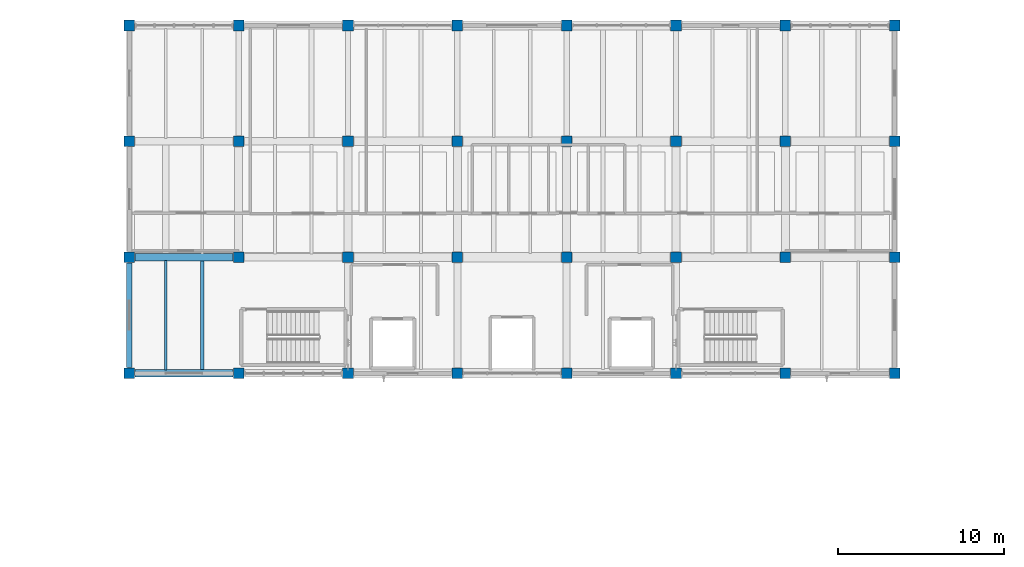
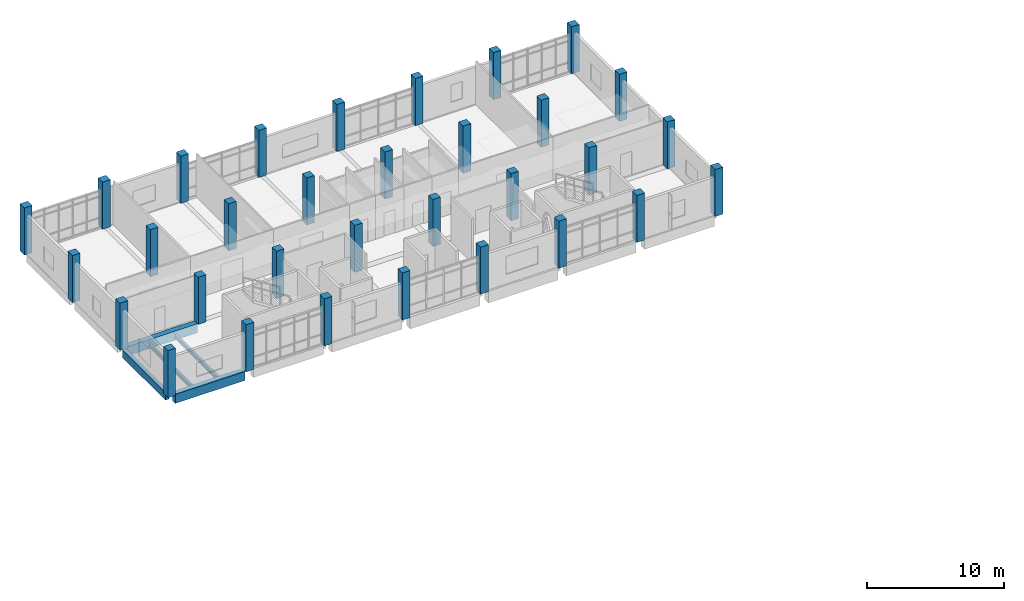
# One storey, part 1 of 16: 32 columns, 5 beams.
"""IFC4 building model written with IfcOpenShell, lengths in metres."""

from ifc_helpers import new_model, si_unit, direction, frame, origin, origin_2d, place, context, subcontext, project, spatial, rectangle, i_section, extrude, material, material_profile, profile_set, type_object, element, save


model = new_model("IFC4")

# Units and contexts
model_context = context("Model", 3, precision=1e-05, world=origin(), true_north=direction((0.0, 1.0)))
body_context = subcontext(model_context, "Body", "Model", "MODEL_VIEW")
ifc_project = project(units=[si_unit("LENGTHUNIT", "METRE"), si_unit("AREAUNIT", "SQUARE_METRE"), si_unit("VOLUMEUNIT", "CUBIC_METRE"), si_unit("PLANEANGLEUNIT", "RADIAN"), si_unit("MASSUNIT", "GRAM", prefix="KILO")], contexts=[model_context])

# Site, building, storey
site_placement = place(None, origin())
site = spatial("IfcSite", under=ifc_project, at=site_placement, CompositionType="ELEMENT")
building_placement = place(site_placement, origin())
building = spatial("IfcBuilding", under=site, at=building_placement, Name="Ciguamira Faculty of Natural Sciences", CompositionType="ELEMENT")
storey_placement = place(building_placement, frame((0.0, 0.0, 25.199951171875)))
storey = spatial("IfcBuildingStorey", under=building, at=storey_placement, Name="L06", CompositionType="ELEMENT", Elevation=25.199951171875)

# Columns
ifc_material_1 = material(Name="Concrete C40/50", Category="concrete")
ifc_material_profile_1 = material_profile(ifc_material_1, rectangle(XDim=0.64990234375, YDim=0.64990234375, at=origin_2d()), Name="RC-COL-650X650")
ifc_profile_set_1 = profile_set([ifc_material_profile_1], Name="Concrete C40/50")
column_type = type_object("IfcColumnType", Name="Col_C-06_RC-COL-650X650", PredefinedType="COLUMN", material=ifc_profile_set_1)
for number, where, z_axis, x_axis, name in (
    (1, (63.89990234375, 94.0, 0.0), (0.0, 0.0, 1.0), (1.0, 0.0, 0.0), "L06 column 10/P"),
    (2, (63.89990234375, 101.0, 0.0), (0.0, 0.0, 1.0), (1.0, 0.0, 0.0), "L06 column 10/Q"),
    (3, (63.89990234375, 108.0, 0.0), (0.0, 0.0, 1.0), (1.0, 0.0, 0.0), "L06 column 10/R"),
    (4, (63.89990234375, 115.0, 0.0), (0.0, 0.0, 1.0), (1.0, 0.0, 0.0), "L06 column 10/S"),
    (5, (70.5, 94.0, 0.0), (0.0, 0.0, 1.0), (1.0, 0.0, 0.0), "L06 column 11/P"),
    (6, (70.5, 101.0, 0.0), (0.0, 0.0, 1.0), (1.0, 0.0, 0.0), "L06 column 11/Q"),
    (7, (70.5, 108.0, 0.0), (0.0, 0.0, 1.0), (1.0, 0.0, 0.0), "L06 column 11/R"),
    (8, (70.5, 115.0, 0.0), (0.0, 0.0, 1.0), (1.0, 0.0, 0.0), "L06 column 11/S"),
    (9, (77.10009765625, 94.0, 0.0), (0.0, 0.0, 1.0), (1.0, 0.0, 0.0), "L06 column 12/P"),
    (10, (77.10009765625, 101.0, 0.0), (0.0, 0.0, 1.0), (1.0, 0.0, 0.0), "L06 column 12/Q"),
    (11, (77.10009765625, 108.0, 0.0), (0.0, 0.0, 1.0), (1.0, 0.0, 0.0), "L06 column 12/R"),
    (12, (77.10009765625, 115.0, 0.0), (0.0, 0.0, 1.0), (1.0, 0.0, 0.0), "L06 column 12/S"),
    (13, (83.699951171875, 94.0, 0.0), (0.0, 0.0, 1.0), (1.0, 0.0, 0.0), "L06 column 13/P"),
    (14, (83.699951171875, 101.0, 0.0), (0.0, 0.0, 1.0), (1.0, 0.0, 0.0), "L06 column 13/Q"),
    (15, (83.699951171875, 108.0, 0.0), (0.0, 0.0, 1.0), (1.0, 0.0, 0.0), "L06 column 13/R"),
    (16, (83.699951171875, 115.0, 0.0), (0.0, 0.0, 1.0), (1.0, 0.0, 0.0), "L06 column 13/S"),
    (17, (90.300048828125, 94.0, 0.0), (0.0, 0.0, 1.0), (1.0, 0.0, 0.0), "L06 column 14/P"),
    (18, (90.300048828125, 101.0, 0.0), (0.0, 0.0, 1.0), (1.0, 0.0, 0.0), "L06 column 14/Q"),
    (19, (90.300048828125, 108.0, 0.0), (0.0, 0.0, 1.0), (1.0, 0.0, 0.0), "L06 column 14/R"),
    (20, (90.300048828125, 115.0, 0.0), (0.0, 0.0, 1.0), (1.0, 0.0, 0.0), "L06 column 14/S"),
    (21, (96.89990234375, 94.0, 0.0), (0.0, 0.0, 1.0), (1.0, 0.0, 0.0), "L06 column 15/P"),
    (22, (96.89990234375, 101.0, 0.0), (0.0, 0.0, 1.0), (1.0, 0.0, 0.0), "L06 column 15/Q"),
    (23, (96.89990234375, 108.0, 0.0), (0.0, 0.0, 1.0), (1.0, 0.0, 0.0), "L06 column 15/R"),
    (24, (96.89990234375, 115.0, 0.0), (0.0, 0.0, 1.0), (1.0, 0.0, 0.0), "L06 column 15/S"),
    (25, (103.5, 94.0, 0.0), (0.0, 0.0, 1.0), (1.0, 0.0, 0.0), "L06 column 16/P"),
    (26, (103.5, 101.0, 0.0), (0.0, 0.0, 1.0), (1.0, 0.0, 0.0), "L06 column 16/Q"),
    (27, (103.5, 108.0, 0.0), (0.0, 0.0, 1.0), (1.0, 0.0, 0.0), "L06 column 16/R"),
    (28, (103.5, 115.0, 0.0), (0.0, 0.0, 1.0), (1.0, 0.0, 0.0), "L06 column 16/S"),
    (29, (110.10009765625, 94.0, 0.0), (0.0, 0.0, 1.0), (1.0, 0.0, 0.0), "L06 column 17/P"),
    (30, (110.10009765625, 101.0, 0.0), (0.0, 0.0, 1.0), (1.0, 0.0, 0.0), "L06 column 17/Q"),
    (31, (110.10009765625, 108.0, 0.0), (0.0, 0.0, 1.0), (1.0, 0.0, 0.0), "L06 column 17/R"),
    (32, (110.10009765625, 115.0, 0.0), (0.0, 0.0, 1.0), (1.0, 0.0, 0.0), "L06 column 17/S"),
):
    element("IfcColumn", number, at=place(storey_placement, frame(where, z_axis=z_axis, x_axis=x_axis)), inside=storey, type_object=column_type, Name=name, PredefinedType="COLUMN", context=body_context, shape_type="SweptSolid", body=[
        extrude(rectangle(XDim=0.64990234375, YDim=0.64990234375, at=origin_2d()), origin(), (0.0, 0.0, 1.0), 4.199951171875),
    ])

# Beams
ifc_material_profile_2 = material_profile(ifc_material_1, rectangle(XDim=0.449951171875, YDim=0.800048828125, at=origin_2d()), Name="RC-BM-450X800")
ifc_profile_set_2 = profile_set([ifc_material_profile_2], Name="Concrete C40/50")
beam_type_1 = type_object("IfcBeamType", Name="RCBeam_BG-05_RC-BM-450X800", PredefinedType="BEAM", material=ifc_profile_set_2)
for number, where, z_axis, x_axis, name in (
    (33, (64.25, 94.0, -0.39990234375), (1.0, 0.0, 0.0), (0.0, 1.0, 0.0), "L06 RC girder EW-1496"),
    (34, (64.25, 101.0, -0.39990234375), (1.0, 0.0, 0.0), (0.0, 1.0, 0.0), "L06 RC girder EW-1503"),
):
    element("IfcBeam", number, at=place(storey_placement, frame(where, z_axis=z_axis, x_axis=x_axis)), inside=storey, type_object=beam_type_1, Name=name, PredefinedType="BEAM", context=body_context, shape_type="SweptSolid", body=[
        extrude(rectangle(XDim=0.449951171875, YDim=0.800048828125, at=origin_2d()), origin(), (0.0, 0.0, 1.0), 5.89990234375),
    ])
ifc_material_2 = material(Name="Precast concrete C40/50", Category="concrete")
ifc_material_profile_3 = material_profile(ifc_material_2, rectangle(XDim=0.320068359375, YDim=0.679931640625, at=origin_2d()), Name="RC-SP-320X680")
ifc_profile_set_3 = profile_set([ifc_material_profile_3], Name="Precast concrete C40/50")
beam_type_2 = type_object("IfcBeamType", Name="RCBeam_SP-02_RC-SP-320X680", PredefinedType="SPANDREL", material=ifc_profile_set_3)
beam_1_placement = place(storey_placement, frame((63.89990234375, 94.35009765625, -0.33984375), z_axis=(0.0, 1.0, 0.0), x_axis=(-1.0, 0.0, 0.0)))
element("IfcBeam", 35, at=beam_1_placement, inside=storey, type_object=beam_type_2, Name="L06 girder NS-1524", PredefinedType="SPANDREL", context=body_context, shape_type="SweptSolid", body=[
    extrude(rectangle(XDim=0.320068359375, YDim=0.679931640625, at=origin_2d()), origin(), (0.0, 0.0, 1.0), 6.2998046875),
])
ifc_material_3 = material(Name="Steel ASTM A992 Grade 50", Category="steel")
ifc_material_profile_4 = material_profile(ifc_material_3, i_section(OverallWidth=0.1708984375, OverallDepth=0.3505859375, WebThickness=0.0068359375, FlangeThickness=0.009765625, at=origin_2d()), Name="W14X30")
ifc_profile_set_4 = profile_set([ifc_material_profile_4], Name="Steel ASTM A992 Grade 50")
beam_type_3 = type_object("IfcBeamType", Name="SteelJoist_SJ-11_W14X30", PredefinedType="JOIST", material=ifc_profile_set_4)
beam_2_placement = place(storey_placement, frame((66.10009765625, 94.18505859375, -0.415283203125), z_axis=(0.0, 1.0, 0.0), x_axis=(-1.0, 0.0, 0.0)))
element("IfcBeam", 36, at=beam_2_placement, inside=storey, type_object=beam_type_3, Name="L06 composite steel joist 01382", PredefinedType="JOIST", context=body_context, shape_type="SweptSolid", body=[
    extrude(i_section(OverallWidth=0.1708984375, OverallDepth=0.3505859375, WebThickness=0.0068359375, FlangeThickness=0.009765625, at=origin_2d()), origin(), (0.0, 0.0, 1.0), 6.6298828125),
])
ifc_material_profile_5 = material_profile(ifc_material_3, i_section(OverallWidth=0.203125, OverallDepth=0.347900390625, WebThickness=0.0078125, FlangeThickness=0.013427734375, at=origin_2d()), Name="W14X43")
ifc_profile_set_5 = profile_set([ifc_material_profile_5], Name="Steel ASTM A992 Grade 50")
beam_type_4 = type_object("IfcBeamType", Name="SteelJoist_SJ-12_W14X43", PredefinedType="JOIST", material=ifc_profile_set_5)
beam_3_placement = place(storey_placement, frame((68.300048828125, 94.18505859375, -0.4140625), z_axis=(0.0, 1.0, 0.0), x_axis=(-1.0, 0.0, 0.0)))
element("IfcBeam", 37, at=beam_3_placement, inside=storey, type_object=beam_type_4, Name="L06 composite steel joist 01383", PredefinedType="JOIST", context=body_context, shape_type="SweptSolid", body=[
    extrude(i_section(OverallWidth=0.203125, OverallDepth=0.347900390625, WebThickness=0.0078125, FlangeThickness=0.013427734375, at=origin_2d()), origin(), (0.0, 0.0, 1.0), 6.6298828125),
])

save(model, "model.ifc")
